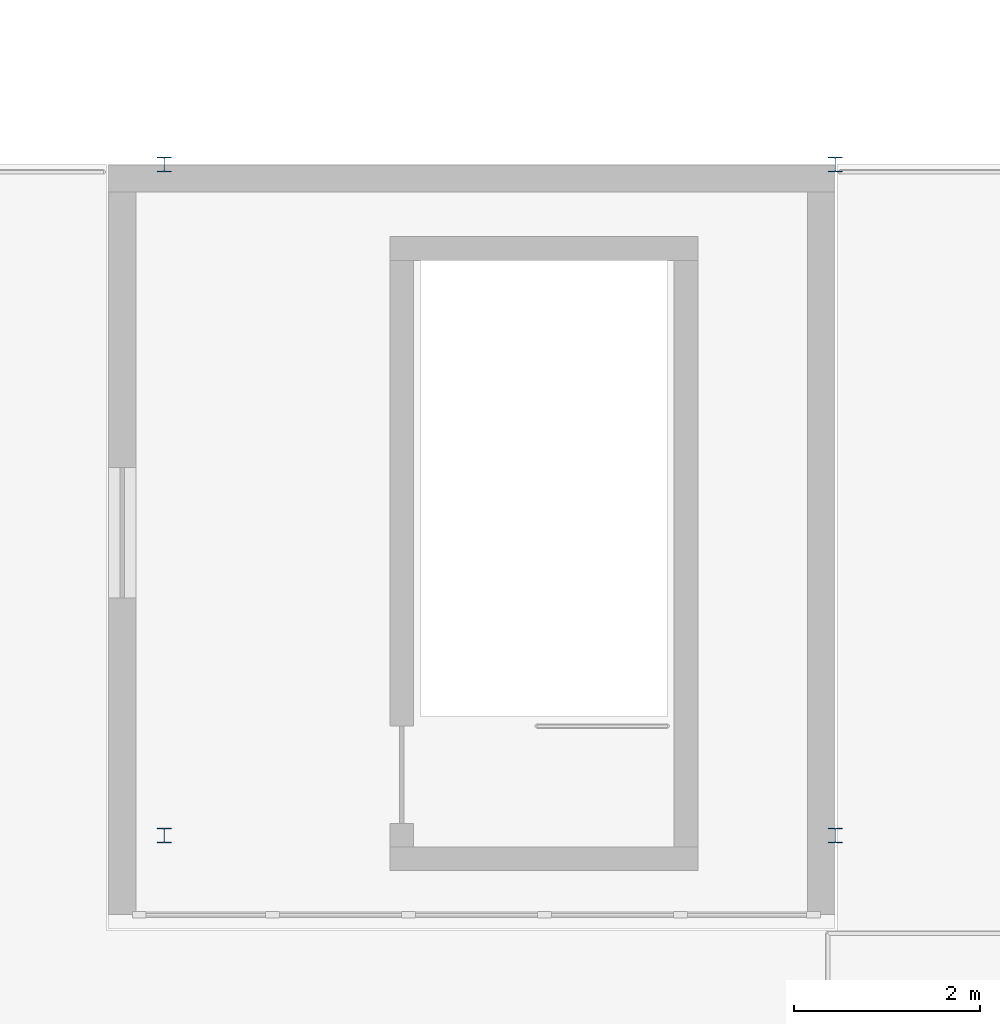
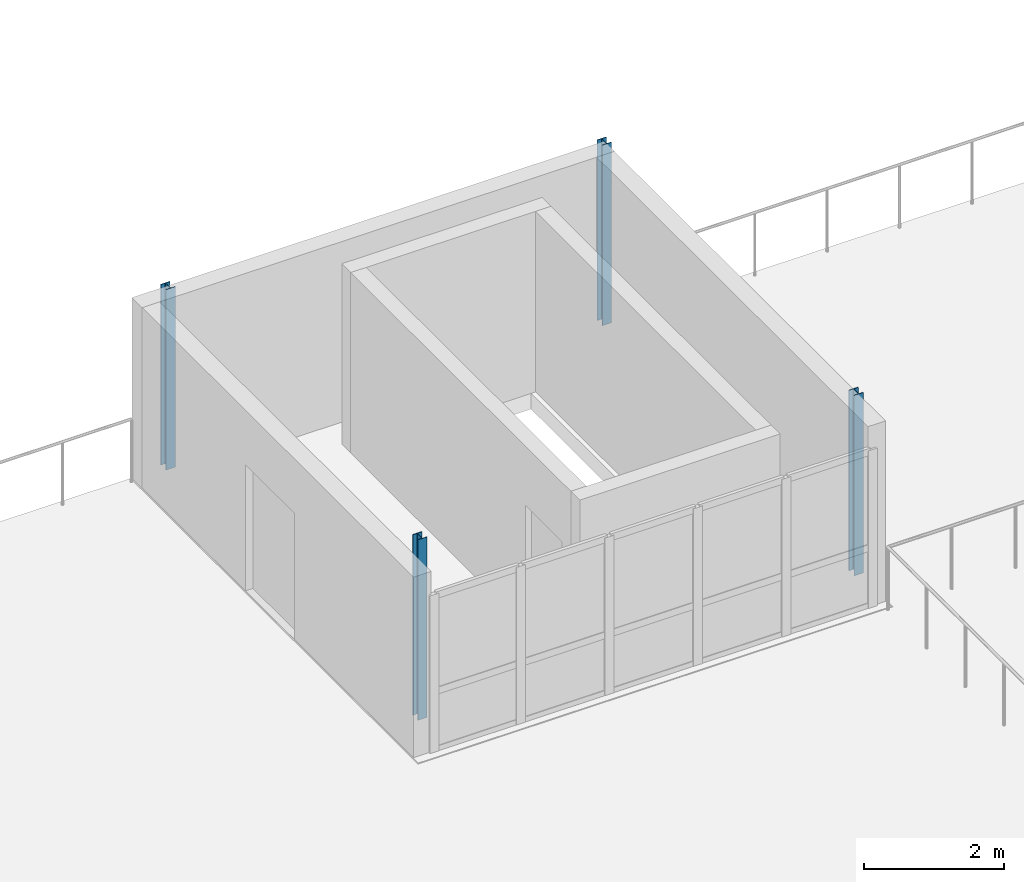
# One storey, part 2 of 64: 4 columns.
"""IFC4 building model written with IfcOpenShell, lengths in metres."""

from ifc_helpers import new_model, si_unit, direction, frame, origin, origin_2d, place, context, subcontext, project, spatial, i_section, extrude, material, material_profile, profile_set, type_object, element, save


model = new_model("IFC4")

# Units and contexts
model_context = context("Model", 3, precision=1e-05, world=origin(), true_north=direction((0.0, 1.0)))
body_context = subcontext(model_context, "Body", "Model", "MODEL_VIEW")
ifc_project = project(units=[si_unit("LENGTHUNIT", "METRE"), si_unit("AREAUNIT", "SQUARE_METRE"), si_unit("VOLUMEUNIT", "CUBIC_METRE"), si_unit("PLANEANGLEUNIT", "RADIAN"), si_unit("MASSUNIT", "GRAM", prefix="KILO")], contexts=[model_context])

# Site, building, storey
site_placement = place(None, origin())
site = spatial("IfcSite", under=ifc_project, at=site_placement, CompositionType="ELEMENT")
building_placement = place(site_placement, origin())
building = spatial("IfcBuilding", under=site, at=building_placement, Name="Ochrevale Crest", CompositionType="ELEMENT")
storey_placement = place(building_placement, frame((0.0, 0.0, 8.699951171875)))
storey = spatial("IfcBuildingStorey", under=building, at=storey_placement, Name="L02", CompositionType="ELEMENT", Elevation=8.699951171875)

# Columns
ifc_material = material(Name="Steel S355", Category="steel")
ifc_material_profile = material_profile(ifc_material, i_section(OverallWidth=0.15283203125, OverallDepth=0.157470703125, WebThickness=0.006591796875, FlangeThickness=0.009521484375, FilletRadius=0.0087890625, at=origin_2d()), Name="150UC30.0")
ifc_profile_set = profile_set([ifc_material_profile], Name="Steel S355")
column_type = type_object("IfcColumnType", Name="COL-UC150", PredefinedType="COLUMN", material=ifc_profile_set)
for number, where, z_axis, x_axis, name in (
    (1, (72.0, 21.60009765625, 0.0), (0.0, 0.0, 1.0), (1.0, 0.0, 0.0), "Retail roof lobby column"),
    (2, (72.0, 28.800048828125, 0.0), (0.0, 0.0, 1.0), (1.0, 0.0, 0.0), "Retail roof lobby column"),
    (3, (79.199951171875, 21.60009765625, 0.0), (0.0, 0.0, 1.0), (1.0, 0.0, 0.0), "Retail roof lobby column"),
    (4, (79.199951171875, 28.800048828125, 0.0), (0.0, 0.0, 1.0), (1.0, 0.0, 0.0), "Retail roof lobby column"),
):
    element("IfcColumn", number, at=place(storey_placement, frame(where, z_axis=z_axis, x_axis=x_axis)), inside=storey, type_object=column_type, Name=name, PredefinedType="COLUMN", context=body_context, shape_type="SweptSolid", body=[
        extrude(i_section(OverallWidth=0.15283203125, OverallDepth=0.157470703125, WebThickness=0.006591796875, FlangeThickness=0.009521484375, FilletRadius=0.0087890625, at=origin_2d()), origin(), (0.0, 0.0, 1.0), 3.150146484375),
    ])

save(model, "model.ifc")
